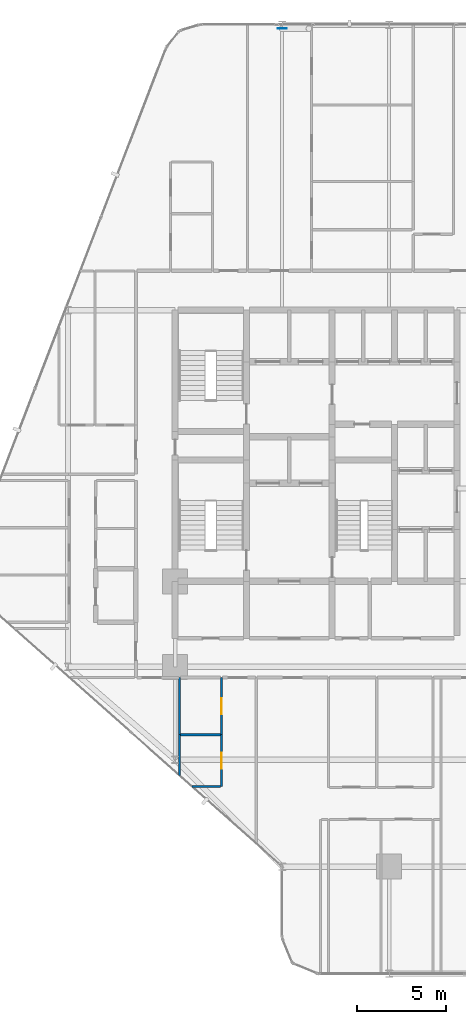
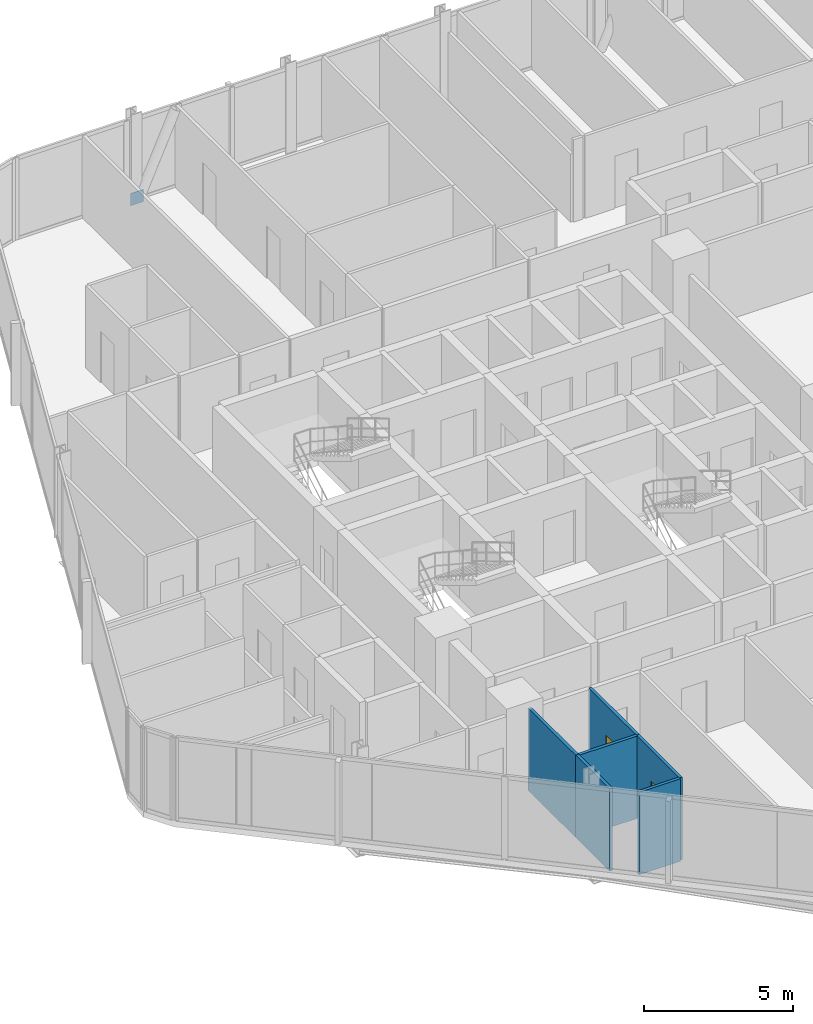
# One storey, part 26 of 35: 6 walls, 2 doors, 1 plate, 2 openings.
"""IFC4 building model written with IfcOpenShell, lengths in metres."""

import ifcopenshell
import ifcopenshell.guid

model = None  # the IFC model being written
_history = None  # IfcOwnerHistory: only IFC2X3 demands one
_inside = {}  # id of a spatial element -> (the spatial element, [elements in it])
_under = {}  # id of a project, library or spatial element -> (it, [spatial elements below it])
_declared = {}  # id of a project -> (the project, [libraries it declares])
_typed = {}  # id of a type object -> (the type object, [elements of that type])
_made_of = {}  # id of a material, layer set ... -> (it, [elements and type objects made of it])


def new_model(schema):
    """Start an empty IFC model of exactly this schema.

    Asked for "IFC4X3", IfcOpenShell would pick the latest addendum, in which some entities
    have other attributes; the version numbers below select the first issue.
    IFC2X3 requires an IfcOwnerHistory on every rooted entity: one is made here for all.
    """
    global model, _history
    if schema == "IFC4X3":
        model = ifcopenshell.file(schema_version=(4, 3, 0, 0))
    else:
        model = ifcopenshell.file(schema=schema)
    _inside.clear()
    _under.clear()
    _declared.clear()
    _typed.clear()
    _made_of.clear()
    _history = None
    if model.schema == "IFC2X3":
        org = make("IfcOrganization", Name="unknown")
        user = make(
            "IfcPersonAndOrganization",
            ThePerson=make("IfcPerson", FamilyName="unknown"),
            TheOrganization=org,
        )
        app = make(
            "IfcApplication",
            ApplicationDeveloper=org,
            Version="unknown",
            ApplicationFullName="unknown",
            ApplicationIdentifier="unknown",
        )
        _history = make(
            "IfcOwnerHistory",
            OwningUser=user,
            OwningApplication=app,
            ChangeAction="ADDED",
            CreationDate=0,
        )
    return model


def make(cls, **values):
    """One entity of the class cls with the attributes given. An attribute that is None is left unset."""
    return model.create_entity(
        cls, **{name: value for name, value in values.items() if value is not None}
    )


def rooted(cls, **values):
    """An entity with a GlobalId (a new one), such as an element, a storey or a relation."""
    return make(cls, GlobalId=ifcopenshell.guid.new(), OwnerHistory=_history, **values)


def si_unit(unit_type, name, prefix=None):
    """IfcSIUnit, for example si_unit("LENGTHUNIT", "METRE", prefix="MILLI")."""
    return make("IfcSIUnit", UnitType=unit_type, Prefix=prefix, Name=name)


def assignment(units):
    """IfcUnitAssignment: the units of a project."""
    return None if units is None else make("IfcUnitAssignment", Units=units)


def point(xyz):
    """IfcCartesianPoint."""
    return None if xyz is None else make("IfcCartesianPoint", Coordinates=xyz)


def direction(xyz):
    """IfcDirection."""
    return None if xyz is None else make("IfcDirection", DirectionRatios=xyz)


def frame(location, z_axis=None, x_axis=None):
    """IfcAxis2Placement3D, a coordinate frame: its origin and axes. An axis left out is left unset."""
    return make(
        "IfcAxis2Placement3D",
        Location=point(location),
        Axis=direction(z_axis),
        RefDirection=direction(x_axis),
    )


def frame_2d(location, x_axis=None):
    """IfcAxis2Placement2D, a coordinate frame in the plane: its origin and x axis."""
    return make(
        "IfcAxis2Placement2D", Location=point(location), RefDirection=direction(x_axis)
    )


def origin():
    """The frame at (0, 0, 0) with its axes left unset."""
    return frame((0.0, 0.0, 0.0))


def origin_2d():
    """The frame at (0, 0) in the plane with its x axis left unset."""
    return frame_2d((0.0, 0.0))


def place(relative_to, where):
    """IfcLocalPlacement: puts the frame where relative to a parent placement (None: the world)."""
    return make(
        "IfcLocalPlacement", PlacementRelTo=relative_to, RelativePlacement=where
    )


def context(
    kind, dimensions, precision=None, world=None, true_north=None, identifier=None
):
    """IfcGeometricRepresentationContext, for example the 3D "Model" context."""
    return make(
        "IfcGeometricRepresentationContext",
        ContextIdentifier=identifier,
        ContextType=kind,
        CoordinateSpaceDimension=dimensions,
        Precision=precision,
        WorldCoordinateSystem=world,
        TrueNorth=true_north,
    )


def subcontext(parent, identifier, kind, view, scale=None):
    """IfcGeometricRepresentationSubContext, for example "Body" below "Model"."""
    return make(
        "IfcGeometricRepresentationSubContext",
        ContextIdentifier=identifier,
        ContextType=kind,
        ParentContext=parent,
        TargetScale=scale,
        TargetView=view,
    )


def project(units=None, contexts=None):
    """IfcProject with its units and contexts."""
    return rooted(
        "IfcProject",
        Name="project",
        RepresentationContexts=contexts,
        UnitsInContext=assignment(units),
    )


def spatial(cls, under=None, at=None, **own):
    """A site, building, storey or space (cls), placed at a placement, below another one or the project."""
    s = rooted(cls, ObjectPlacement=at, **own)
    if under is not None:
        _under.setdefault(under.id(), (under, []))[1].append(s)
    return s


def profile(cls, at=None, kind="AREA", **sizes):
    """A parametric profile (cls). Its sizes go by their IFC names, for example OverallWidth=200.0."""
    return make(cls, ProfileType=kind, Position=at, **sizes)


def rectangle(**sizes):
    """IfcRectangleProfileDef."""
    return profile("IfcRectangleProfileDef", **sizes)


def extrude(swept, where, along, depth):
    """IfcExtrudedAreaSolid: the profile swept, set in the frame where, extruded along a direction by depth."""
    return make(
        "IfcExtrudedAreaSolid",
        SweptArea=swept,
        Position=where,
        ExtrudedDirection=direction(along),
        Depth=depth,
    )


def shape(context_of_items, identifier, shape_type, items):
    """IfcShapeRepresentation: the items that make up one representation, for example the "Body"."""
    return make(
        "IfcShapeRepresentation",
        ContextOfItems=context_of_items,
        RepresentationIdentifier=identifier,
        RepresentationType=shape_type,
        Items=items,
    )


def material(Name=None, Category=None):
    """IfcMaterial."""
    return make("IfcMaterial", Name=Name, Category=Category)


def layer(
    of_material, thickness, ventilated=None, Name=None, Category=None, Priority=None
):
    """IfcMaterialLayer: one layer of a wall or slab, of a material (None: an air gap)."""
    return make(
        "IfcMaterialLayer",
        Material=of_material,
        LayerThickness=thickness,
        IsVentilated=ventilated,
        Name=Name,
        Category=Category,
        Priority=Priority,
    )


def layer_set(layers, Name=None):
    """IfcMaterialLayerSet."""
    return make("IfcMaterialLayerSet", MaterialLayers=layers, LayerSetName=Name)


def made_of(thing, what):
    """Note that an element or type object is made of a material, layer set ...; save() writes the relation."""
    if what is not None:
        _made_of.setdefault(what.id(), (what, []))[1].append(thing)
    return thing


def type_object(cls, material=None, **own):
    """A type object (cls), such as IfcWallType, which elements share."""
    return made_of(rooted(cls, **own), material)


def element(
    cls,
    number,
    at=None,
    inside=None,
    cuts=None,
    type_object=None,
    material=None,
    context=None,
    identifier="Body",
    shape_type=None,
    held_by="IfcProductDefinitionShape",
    body=None,
    shapes=None,
    **own,
):
    """One element of the class cls, such as IfcWall. Its Tag is "e" and its number.

    at: its placement. inside: the storey or other place that contains it. cuts: it is an
    opening in that element (IfcRelVoidsElement). A single representation is given by context,
    identifier, shape_type and body (its items); several are given by shapes. held_by: the class
    of the entity that holds the representations. save() writes the other relations.
    """
    e = rooted(cls, Tag="e%d" % number, ObjectPlacement=at, **own)
    if body is not None:
        shapes = [shape(context, identifier, shape_type, body)]
    if shapes is not None:
        e.Representation = make(held_by, Representations=shapes)
    if inside is not None:
        _inside.setdefault(inside.id(), (inside, []))[1].append(e)
    if cuts is not None:
        rooted(
            "IfcRelVoidsElement", RelatingBuildingElement=cuts, RelatedOpeningElement=e
        )
    if type_object is not None:
        _typed.setdefault(type_object.id(), (type_object, []))[1].append(e)
    return made_of(e, material)


def fill(opening, filler):
    """IfcRelFillsElement: the door or window that sits in an opening."""
    return rooted(
        "IfcRelFillsElement",
        RelatingOpeningElement=opening,
        RelatedBuildingElement=filler,
    )


def aggregate(whole, parts):
    """IfcRelAggregates: a whole, such as a stair, and the parts it consists of."""
    return rooted("IfcRelAggregates", RelatingObject=whole, RelatedObjects=parts)


def save(model, path):
    """Write the relations noted so far, then the file.

    IfcRelAggregates (storeys below a building ...), IfcRelContainedInSpatialStructure (elements
    in a storey), IfcRelDefinesByType, IfcRelAssociatesMaterial and IfcRelDeclares: one each for
    every whole, place, type object, material and project.
    """
    for whole, parts in _under.values():
        aggregate(whole, parts)
    for where, things in _inside.values():
        rooted(
            "IfcRelContainedInSpatialStructure",
            RelatedElements=things,
            RelatingStructure=where,
        )
    for kind, things in _typed.values():
        rooted("IfcRelDefinesByType", RelatedObjects=things, RelatingType=kind)
    for what, things in _made_of.values():
        rooted("IfcRelAssociatesMaterial", RelatedObjects=things, RelatingMaterial=what)
    for by, libraries in _declared.values():
        rooted("IfcRelDeclares", RelatingContext=by, RelatedDefinitions=libraries)
    model.write(path)


model = new_model("IFC4")

# Units and contexts
model_context = context("Model", 3, precision=1e-05, world=origin(), true_north=direction((0.0, 1.0)))
body_context = subcontext(model_context, "Body", "Model", "MODEL_VIEW")
ifc_project = project(units=[si_unit("LENGTHUNIT", "METRE"), si_unit("AREAUNIT", "SQUARE_METRE"), si_unit("VOLUMEUNIT", "CUBIC_METRE"), si_unit("PLANEANGLEUNIT", "RADIAN"), si_unit("MASSUNIT", "GRAM", prefix="KILO")], contexts=[model_context])

# Site, building, storey
site_placement = place(None, origin())
site = spatial("IfcSite", under=ifc_project, at=site_placement, CompositionType="ELEMENT")
building_placement = place(site_placement, origin())
building = spatial("IfcBuilding", under=site, at=building_placement, Name="Keshet Zoharim Tower", CompositionType="ELEMENT")
storey_placement = place(building_placement, frame((0.0, 0.0, 24.0)))
storey = spatial("IfcBuildingStorey", under=building, at=storey_placement, Name="L04", CompositionType="ELEMENT", Elevation=24.0)

# Plate
ifc_material_1 = material(Name="Steel S355", Category="steel")
ifc_layer_1 = layer(ifc_material_1, 0.02001953125)
ifc_layer_set_1 = layer_set([ifc_layer_1], Name="Steel S355")
plate_type = type_object("IfcPlateType", Name="PL-GUS-20", PredefinedType="SHEET", material=ifc_layer_set_1)
plate_placement = place(storey_placement, frame((21.0, 53.679931640625, 0.0), z_axis=(0.0, 0.0, 1.0), x_axis=(1.0, 0.0, 0.0)))
element("IfcPlate", 1, at=plate_placement, inside=storey, type_object=plate_type, Name="L04 Perimeter Brace Gusset 01", PredefinedType="SHEET", context=body_context, shape_type="SweptSolid", body=[
    extrude(rectangle(XDim=0.5, YDim=0.02001953125, at=origin_2d()), origin(), (0.0, 0.0, 1.0), 0.5),
])

# Wall
ifc_material_2 = material(Name="Gypsum Plasterboard", Category="gypsum")
ifc_layer_2 = layer(ifc_material_2, 0.1201171875)
ifc_layer_set_2 = layer_set([ifc_layer_2], Name="Gypsum Plasterboard")
wall_type_1 = type_object("IfcWallType", Name="WL-PART-120", PredefinedType="PARTITIONING", material=ifc_layer_set_2)
wall_1_placement = place(storey_placement, frame((15.25, 14.10009765625, 0.0), z_axis=(0.0, 0.0, 1.0), x_axis=(0.0, 1.0, 0.0)))
element("IfcWall", 2, at=wall_1_placement, inside=storey, type_object=wall_type_1, Name="L04 Interior Wall 020", PredefinedType="PARTITIONING", context=body_context, shape_type="SweptSolid", body=[
    extrude(rectangle(XDim=3.199951171875, YDim=0.1201171875, at=frame_2d((1.60009765625, 0.0))), origin(), (0.0, 0.0, 1.0), 3.385009765625),
])

# Wall, opening, door
wall_2_placement = place(storey_placement, frame((17.60009765625, 14.10009765625, 0.0), z_axis=(0.0, 0.0, 1.0), x_axis=(0.0, 1.0, 0.0)))
wall_2 = element("IfcWall", 3, at=wall_2_placement, inside=storey, type_object=wall_type_1, Name="L04 Interior Wall 024", PredefinedType="PARTITIONING", context=body_context, shape_type="SweptSolid", body=[
    extrude(rectangle(XDim=3.199951171875, YDim=0.1201171875, at=frame_2d((1.60009765625, 0.0))), origin(), (0.0, 0.0, 1.0), 3.385009765625),
])
opening_1_placement = place(wall_2_placement, frame((1.14990234375, 0.0, 0.0)))
opening_1 = element("IfcOpeningElement", 4, at=opening_1_placement, cuts=wall_2, Name="Opening D-IN90", PredefinedType="OPENING", context=body_context, shape_type="SweptSolid", body=[
    extrude(rectangle(XDim=0.89990234375, YDim=2.14990234375, at=frame_2d((0.449951171875, 1.074951171875))), frame((0.0, 0.070068359375, 0.0), z_axis=(0.0, -1.0, 0.0), x_axis=(1.0, 0.0, 0.0)), (0.0, 0.0, 1.0), 0.14013671875),
])
ifc_material_3 = material(Name="Hardwood Timber", Category="wood")
door_type_1 = type_object("IfcDoorType", Name="DR-INT-090", OperationType="NOTDEFINED", PredefinedType="DOOR", material=ifc_material_3)
door_1_placement = place(opening_1_placement, origin())
door_1 = element("IfcDoor", 5, at=door_1_placement, inside=storey, type_object=door_type_1, Name="Apartment 0401 Kitchenette Door", OperationType="SINGLE_SWING_RIGHT", OverallHeight=2.14990234375, OverallWidth=0.89990234375, PredefinedType="DOOR", context=body_context, shape_type="SweptSolid", body=[
    extrude(rectangle(XDim=0.89990234375, YDim=2.14990234375, at=frame_2d((0.449951171875, 1.074951171875))), frame((0.0, 0.02490234375, 0.0), z_axis=(0.0, -1.0, 0.0), x_axis=(1.0, 0.0, 0.0)), (0.0, 0.0, 1.0), 0.050048828125),
])
fill(opening_1, door_1)

# Wall
ifc_layer_3 = layer(ifc_material_2, 0.1201171875)
ifc_layer_set_3 = layer_set([ifc_layer_3], Name="Gypsum Plasterboard")
wall_type_2 = type_object("IfcWallType", Name="WL-WET-120", PredefinedType="PARTITIONING", material=ifc_layer_set_3)
wall_3_placement = place(storey_placement, frame((15.25, 11.821044921875, 0.0), z_axis=(0.0, 0.0, 1.0), x_axis=(0.0, 1.0, 0.0)))
element("IfcWall", 6, at=wall_3_placement, inside=storey, type_object=wall_type_2, Name="L04 Interior Wall 019", PredefinedType="PARTITIONING", context=body_context, shape_type="SweptSolid", body=[
    extrude(rectangle(XDim=2.279052734375, YDim=0.1201171875, at=frame_2d((1.1396484375, 0.0))), origin(), (0.0, 0.0, 1.0), 3.385009765625),
])

# Wall, opening, door
wall_4_placement = place(storey_placement, frame((17.60009765625, 11.199951171875, 0.0), z_axis=(0.0, 0.0, 1.0), x_axis=(0.0, 1.0, 0.0)))
wall_4 = element("IfcWall", 7, at=wall_4_placement, inside=storey, type_object=wall_type_2, Name="L04 Interior Wall 023", PredefinedType="PARTITIONING", context=body_context, shape_type="SweptSolid", body=[
    extrude(rectangle(XDim=2.900146484375, YDim=0.1201171875, at=frame_2d((1.4501953125, 0.0))), origin(), (0.0, 0.0, 1.0), 3.385009765625),
])
opening_2_placement = place(wall_4_placement, frame((1.0, 0.0, 0.0)))
opening_2 = element("IfcOpeningElement", 8, at=opening_2_placement, cuts=wall_4, Name="Opening D-WT90", PredefinedType="OPENING", context=body_context, shape_type="SweptSolid", body=[
    extrude(rectangle(XDim=0.89990234375, YDim=2.10009765625, at=frame_2d((0.449951171875, 1.050048828125))), frame((0.0, 0.070068359375, 0.0), z_axis=(0.0, -1.0, 0.0), x_axis=(1.0, 0.0, 0.0)), (0.0, 0.0, 1.0), 0.14013671875),
])
door_type_2 = type_object("IfcDoorType", Name="DR-WET-090", OperationType="NOTDEFINED", PredefinedType="DOOR", material=ifc_material_3)
door_2_placement = place(opening_2_placement, origin())
door_2 = element("IfcDoor", 9, at=door_2_placement, inside=storey, type_object=door_type_2, Name="Apartment 0401 Bathroom Door", OperationType="SINGLE_SWING_LEFT", OverallHeight=2.10009765625, OverallWidth=0.89990234375, PredefinedType="DOOR", context=body_context, shape_type="SweptSolid", body=[
    extrude(rectangle(XDim=0.89990234375, YDim=2.10009765625, at=frame_2d((0.449951171875, 1.050048828125))), frame((0.0, 0.02490234375, 0.0), z_axis=(0.0, -1.0, 0.0), x_axis=(1.0, 0.0, 0.0)), (0.0, 0.0, 1.0), 0.050048828125),
])
fill(opening_2, door_2)

# Walls
wall_5_placement = place(storey_placement, frame((15.947998046875, 11.199951171875, 0.0), z_axis=(0.0, 0.0, 1.0), x_axis=(1.0, 0.0, 0.0)))
element("IfcWall", 10, at=wall_5_placement, inside=storey, type_object=wall_type_2, Name="L04 Interior Wall 139", PredefinedType="PARTITIONING", context=body_context, shape_type="SweptSolid", body=[
    extrude(rectangle(XDim=1.60693359375, YDim=0.1201171875, at=frame_2d((0.803466796875, 0.0))), origin(), (0.0, 0.0, 1.0), 3.385009765625),
])
wall_6_placement = place(storey_placement, frame((15.294921875, 14.10009765625, 0.0), z_axis=(0.0, 0.0, 1.0), x_axis=(1.0, 0.0, 0.0)))
element("IfcWall", 11, at=wall_6_placement, inside=storey, type_object=wall_type_2, Name="L04 Interior Wall 142", PredefinedType="PARTITIONING", context=body_context, shape_type="SweptSolid", body=[
    extrude(rectangle(XDim=2.260009765625, YDim=0.1201171875, at=frame_2d((1.1298828125, 0.0))), origin(), (0.0, 0.0, 1.0), 3.385009765625),
])

save(model, "model.ifc")
